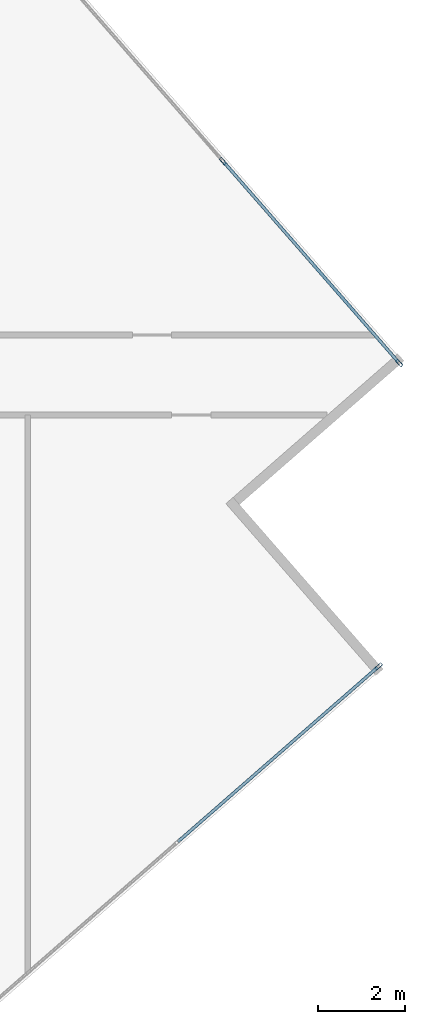
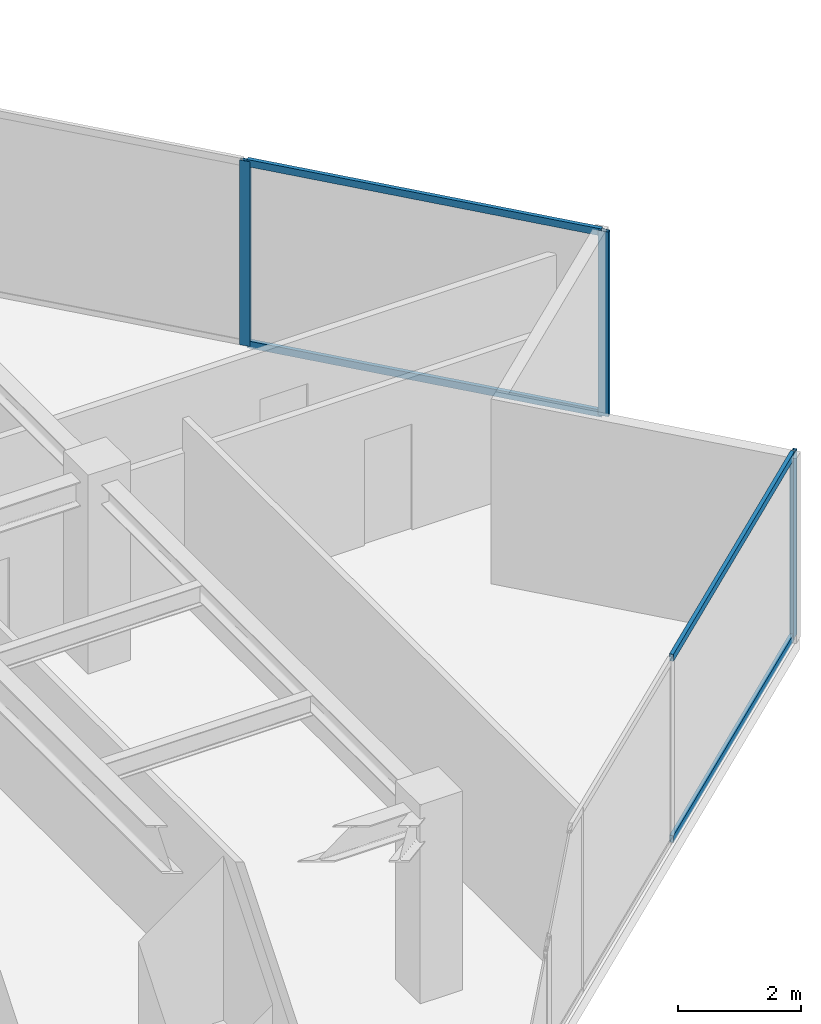
# One storey, part 12 of 24: 7 members, 2 elements without a shape of their own.
"""IFC4 building model written with IfcOpenShell, lengths in metres."""

from ifc_helpers import new_model, si_unit, direction, frame, origin, origin_2d, place, context, subcontext, project, spatial, hollow_rectangle, extrude, source, transform, mapped, material, material_profile, profile_set, type_object, type_shapes, element, aggregate, save


model = new_model("IFC4")

# Units and contexts
model_context = context("Model", 3, precision=1e-05, world=origin(), true_north=direction((0.0, 1.0)))
body_context = subcontext(model_context, "Body", "Model", "MODEL_VIEW")
ifc_project = project(units=[si_unit("LENGTHUNIT", "METRE"), si_unit("AREAUNIT", "SQUARE_METRE"), si_unit("VOLUMEUNIT", "CUBIC_METRE"), si_unit("PLANEANGLEUNIT", "RADIAN"), si_unit("MASSUNIT", "GRAM", prefix="KILO")], contexts=[model_context])

# Site, building, storey
site_placement = place(None, origin())
site = spatial("IfcSite", under=ifc_project, at=site_placement, CompositionType="ELEMENT")
building_placement = place(site_placement, origin())
building = spatial("IfcBuilding", under=site, at=building_placement, Name="Krantzveldt Concourse Tower", CompositionType="ELEMENT")
storey_placement = place(building_placement, frame((0.0, 0.0, 250.75)))
storey = spatial("IfcBuildingStorey", under=building, at=storey_placement, Name="L61", CompositionType="ELEMENT", Elevation=250.75)

# Curtain wall, member
ifc_material = material(Name="Anodised aluminium 6063-T6", Category="aluminium")
curtain_wall_type = type_object("IfcCurtainWallType", Name="CW3", PredefinedType="USERDEFINED", material=ifc_material)
curtain_wall_1_placement = place(storey_placement, origin())
curtain_wall_1 = element("IfcCurtainWall", 1, at=curtain_wall_1_placement, inside=storey, type_object=curtain_wall_type, Name="CW-L61-F07", ObjectType="UNITISED CURTAIN WALL", PredefinedType="USERDEFINED")
ifc_material_profile_1 = material_profile(ifc_material, hollow_rectangle(XDim=0.070068359375, YDim=0.179931640625, WallThickness=0.0048828125, at=origin_2d()), Name="Anodised aluminium 6063-T6", Category="aluminium")
ifc_profile_set_1 = profile_set([ifc_material_profile_1], Name="Anodised aluminium 6063-T6 - ALU-MULL 180x70x5")
member_type_1 = type_object("IfcMemberType", Name="CW-MUL-180", PredefinedType="MULLION", material=ifc_profile_set_1)
shared_shape_1 = source(origin(), body_context, "Body", "SweptSolid", [
    extrude(hollow_rectangle(XDim=0.070068359375, YDim=0.179931640625, WallThickness=0.0048828125, at=origin_2d()), origin(), (0.0, 0.0, 1.0), 3.669921875),
])
type_shapes(member_type_1, [shared_shape_1])
member_1_placement = place(storey_placement, frame((61.0732421875, 21.4970703125, 0.0), z_axis=(0.0, 0.0, 1.0), x_axis=(-0.657703938567, 0.753276529034, 0.0)))
member_1 = element("IfcMember", 2, at=member_1_placement, type_object=member_type_1, Name="CW-Z34 mullion 6", PredefinedType="MULLION", context=body_context, shape_type="MappedRepresentation", body=[
    mapped(shared_shape_1, transform((0.0, 0.0, 0.0), x_axis=(1.0, 0.0, 0.0), y_axis=(0.0, 1.0, 0.0), z_axis=(0.0, 0.0, 1.0), scale=1.0)),
])

# Curtain wall, members
curtain_wall_2_placement = place(storey_placement, origin())
curtain_wall_2 = element("IfcCurtainWall", 3, at=curtain_wall_2_placement, inside=storey, type_object=curtain_wall_type, Name="CW-L61-F10", ObjectType="UNITISED CURTAIN WALL", PredefinedType="USERDEFINED")
member_2_placement = place(storey_placement, frame((61.545654296875, 28.474365234375, 0.0), z_axis=(0.0, 0.0, 1.0), x_axis=(-0.753276529034, -0.657703938567, 0.0)))
member_2 = element("IfcMember", 4, at=member_2_placement, type_object=member_type_1, Name="CW-Z34 mullion 1", PredefinedType="MULLION", context=body_context, shape_type="MappedRepresentation", body=[
    mapped(shared_shape_1, transform((0.0, 0.0, 0.0), x_axis=(1.0, 0.0, 0.0), y_axis=(0.0, 1.0, 0.0), z_axis=(0.0, 0.0, 1.0), scale=1.0)),
])
member_3_placement = place(storey_placement, frame((57.490966796875, 33.1181640625, 0.0), z_axis=(0.0, 0.0, 1.0), x_axis=(-0.753276529034, -0.657703938567, 0.0)))
member_3 = element("IfcMember", 5, at=member_3_placement, type_object=member_type_1, Name="CW-Z34 mullion 2", PredefinedType="MULLION", context=body_context, shape_type="MappedRepresentation", body=[
    mapped(shared_shape_1, transform((0.0, 0.0, 0.0), x_axis=(1.0, 0.0, 0.0), y_axis=(0.0, 1.0, 0.0), z_axis=(0.0, 0.0, 1.0), scale=1.0)),
])

# Member
ifc_material_profile_2 = material_profile(ifc_material, hollow_rectangle(XDim=0.070068359375, YDim=0.139892578125, WallThickness=0.0048828125, at=origin_2d()), Name="Anodised aluminium 6063-T6", Category="aluminium")
ifc_profile_set_2 = profile_set([ifc_material_profile_2], Name="Anodised aluminium 6063-T6 - ALU-TRAN 140x70x5")
member_type_2 = type_object("IfcMemberType", Name="CW-TRN-150", PredefinedType="USERDEFINED", material=ifc_profile_set_2)
shared_shape_2 = source(origin(), body_context, "Body", "SweptSolid", [
    extrude(hollow_rectangle(XDim=0.070068359375, YDim=0.139892578125, WallThickness=0.0048828125, at=origin_2d()), origin(), (0.0, 0.0, 1.0), 6.094970703125),
])
member_4_placement = place(storey_placement, frame((56.45556640625, 17.46533203125, 0.034912109375), z_axis=(0.753295838035, 0.657681823072, 0.0), x_axis=(-0.657681823072, 0.753295838035, 0.0)))
member_4 = element("IfcMember", 6, at=member_4_placement, type_object=member_type_2, Name="CW-Z34 transom 5.1", ObjectType="TRANSOM", PredefinedType="USERDEFINED", context=body_context, shape_type="MappedRepresentation", body=[
    mapped(shared_shape_2, transform((0.0, 0.0, 0.0), x_axis=(1.0, 0.0, 0.0), y_axis=(0.0, 1.0, 0.0), z_axis=(0.0, 0.0, 1.0), scale=1.0)),
])

member_5_placement = place(storey_placement, frame((56.45556640625, 17.46533203125, 3.635009765625), z_axis=(0.753295838035, 0.657681823072, 0.0), x_axis=(-0.657681823072, 0.753295838035, 0.0)))
member_5 = element("IfcMember", 7, at=member_5_placement, type_object=member_type_2, Name="CW-Z34 transom 5.2", ObjectType="TRANSOM", PredefinedType="USERDEFINED", context=body_context, shape_type="MappedRepresentation", body=[
    mapped(shared_shape_2, transform((0.0, 0.0, 0.0), x_axis=(1.0, 0.0, 0.0), y_axis=(0.0, 1.0, 0.0), z_axis=(0.0, 0.0, 1.0), scale=1.0)),
])

aggregate(curtain_wall_1, [member_1, member_4, member_5])

shared_shape_3 = source(origin(), body_context, "Body", "SweptSolid", [
    extrude(hollow_rectangle(XDim=0.070068359375, YDim=0.139892578125, WallThickness=0.0048828125, at=origin_2d()), origin(), (0.0, 0.0, 1.0), 6.0947265625),
])
type_shapes(member_type_2, [shared_shape_2, shared_shape_3])
member_6_placement = place(storey_placement, frame((61.522705078125, 28.500732421875, 0.034912109375), z_axis=(-0.657701668417, 0.753278511151, 0.0), x_axis=(-0.753278511151, -0.657701668417, 0.0)))
member_6 = element("IfcMember", 8, at=member_6_placement, type_object=member_type_2, Name="CW-Z34 transom 1.1", ObjectType="TRANSOM", PredefinedType="USERDEFINED", context=body_context, shape_type="MappedRepresentation", body=[
    mapped(shared_shape_3, transform((0.0, 0.0, 0.0), x_axis=(1.0, 0.0, 0.0), y_axis=(0.0, 1.0, 0.0), z_axis=(0.0, 0.0, 1.0), scale=1.0)),
])

member_7_placement = place(storey_placement, frame((61.522705078125, 28.500732421875, 3.635009765625), z_axis=(-0.657701668417, 0.753278511151, 0.0), x_axis=(-0.753278511151, -0.657701668417, 0.0)))
member_7 = element("IfcMember", 9, at=member_7_placement, type_object=member_type_2, Name="CW-Z34 transom 1.2", ObjectType="TRANSOM", PredefinedType="USERDEFINED", context=body_context, shape_type="MappedRepresentation", body=[
    mapped(shared_shape_3, transform((0.0, 0.0, 0.0), x_axis=(1.0, 0.0, 0.0), y_axis=(0.0, 1.0, 0.0), z_axis=(0.0, 0.0, 1.0), scale=1.0)),
])

aggregate(curtain_wall_2, [member_2, member_3, member_6, member_7])

save(model, "model.ifc")
